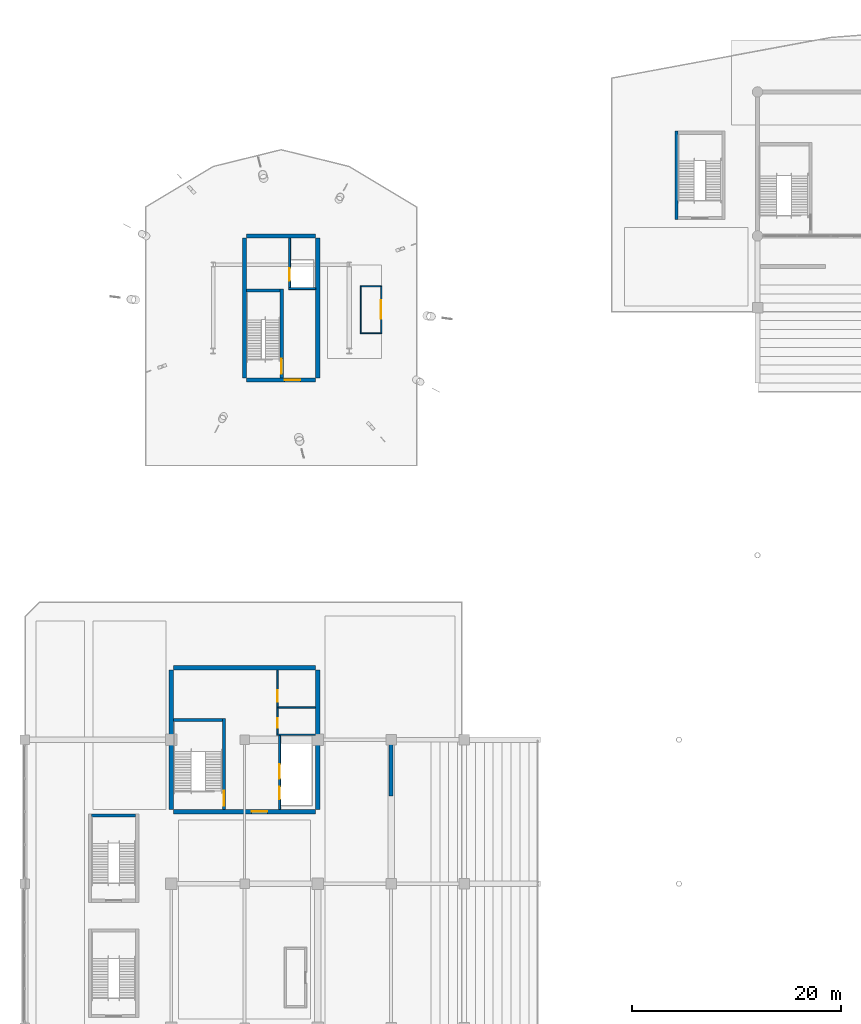
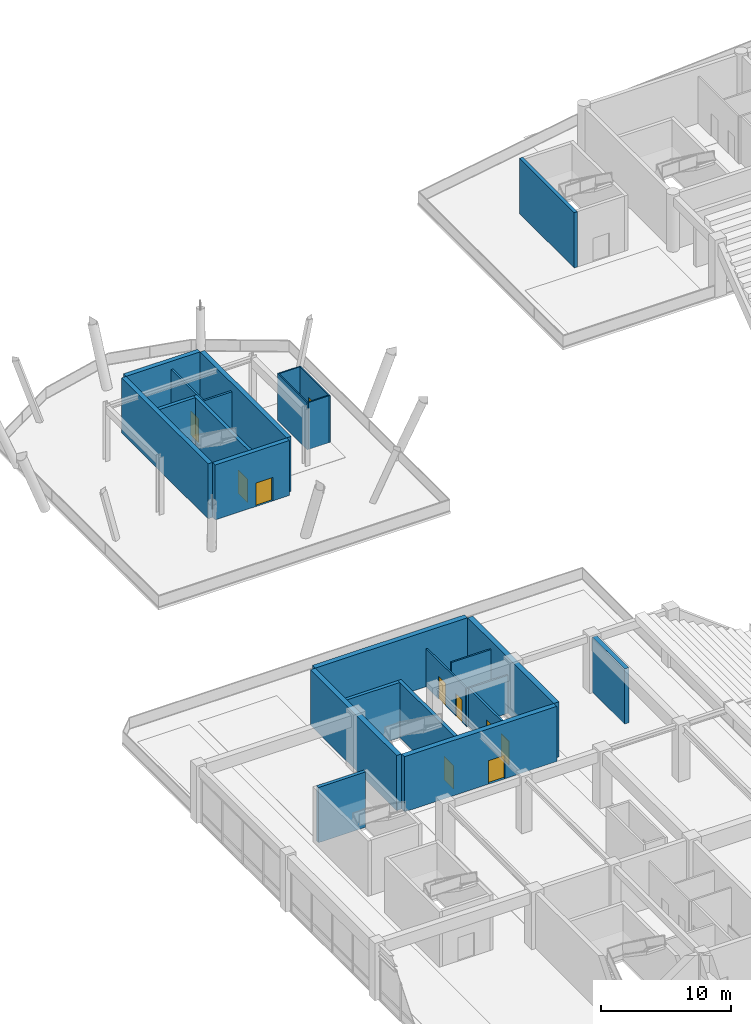
# One storey, part 95 of 117: 25 walls, 10 doors, 10 openings.
"""IFC4 building model written with IfcOpenShell, lengths in metres."""

import ifcopenshell
import ifcopenshell.guid

model = None  # the IFC model being written
_history = None  # IfcOwnerHistory: only IFC2X3 demands one
_inside = {}  # id of a spatial element -> (the spatial element, [elements in it])
_under = {}  # id of a project, library or spatial element -> (it, [spatial elements below it])
_declared = {}  # id of a project -> (the project, [libraries it declares])
_typed = {}  # id of a type object -> (the type object, [elements of that type])
_made_of = {}  # id of a material, layer set ... -> (it, [elements and type objects made of it])


def new_model(schema):
    """Start an empty IFC model of exactly this schema.

    Asked for "IFC4X3", IfcOpenShell would pick the latest addendum, in which some entities
    have other attributes; the version numbers below select the first issue.
    IFC2X3 requires an IfcOwnerHistory on every rooted entity: one is made here for all.
    """
    global model, _history
    if schema == "IFC4X3":
        model = ifcopenshell.file(schema_version=(4, 3, 0, 0))
    else:
        model = ifcopenshell.file(schema=schema)
    _inside.clear()
    _under.clear()
    _declared.clear()
    _typed.clear()
    _made_of.clear()
    _history = None
    if model.schema == "IFC2X3":
        org = make("IfcOrganization", Name="unknown")
        user = make(
            "IfcPersonAndOrganization",
            ThePerson=make("IfcPerson", FamilyName="unknown"),
            TheOrganization=org,
        )
        app = make(
            "IfcApplication",
            ApplicationDeveloper=org,
            Version="unknown",
            ApplicationFullName="unknown",
            ApplicationIdentifier="unknown",
        )
        _history = make(
            "IfcOwnerHistory",
            OwningUser=user,
            OwningApplication=app,
            ChangeAction="ADDED",
            CreationDate=0,
        )
    return model


def make(cls, **values):
    """One entity of the class cls with the attributes given. An attribute that is None is left unset."""
    return model.create_entity(
        cls, **{name: value for name, value in values.items() if value is not None}
    )


def rooted(cls, **values):
    """An entity with a GlobalId (a new one), such as an element, a storey or a relation."""
    return make(cls, GlobalId=ifcopenshell.guid.new(), OwnerHistory=_history, **values)


def si_unit(unit_type, name, prefix=None):
    """IfcSIUnit, for example si_unit("LENGTHUNIT", "METRE", prefix="MILLI")."""
    return make("IfcSIUnit", UnitType=unit_type, Prefix=prefix, Name=name)


def assignment(units):
    """IfcUnitAssignment: the units of a project."""
    return None if units is None else make("IfcUnitAssignment", Units=units)


def point(xyz):
    """IfcCartesianPoint."""
    return None if xyz is None else make("IfcCartesianPoint", Coordinates=xyz)


def direction(xyz):
    """IfcDirection."""
    return None if xyz is None else make("IfcDirection", DirectionRatios=xyz)


def frame(location, z_axis=None, x_axis=None):
    """IfcAxis2Placement3D, a coordinate frame: its origin and axes. An axis left out is left unset."""
    return make(
        "IfcAxis2Placement3D",
        Location=point(location),
        Axis=direction(z_axis),
        RefDirection=direction(x_axis),
    )


def frame_2d(location, x_axis=None):
    """IfcAxis2Placement2D, a coordinate frame in the plane: its origin and x axis."""
    return make(
        "IfcAxis2Placement2D", Location=point(location), RefDirection=direction(x_axis)
    )


def origin():
    """The frame at (0, 0, 0) with its axes left unset."""
    return frame((0.0, 0.0, 0.0))


def place(relative_to, where):
    """IfcLocalPlacement: puts the frame where relative to a parent placement (None: the world)."""
    return make(
        "IfcLocalPlacement", PlacementRelTo=relative_to, RelativePlacement=where
    )


def context(
    kind, dimensions, precision=None, world=None, true_north=None, identifier=None
):
    """IfcGeometricRepresentationContext, for example the 3D "Model" context."""
    return make(
        "IfcGeometricRepresentationContext",
        ContextIdentifier=identifier,
        ContextType=kind,
        CoordinateSpaceDimension=dimensions,
        Precision=precision,
        WorldCoordinateSystem=world,
        TrueNorth=true_north,
    )


def subcontext(parent, identifier, kind, view, scale=None):
    """IfcGeometricRepresentationSubContext, for example "Body" below "Model"."""
    return make(
        "IfcGeometricRepresentationSubContext",
        ContextIdentifier=identifier,
        ContextType=kind,
        ParentContext=parent,
        TargetScale=scale,
        TargetView=view,
    )


def project(units=None, contexts=None):
    """IfcProject with its units and contexts."""
    return rooted(
        "IfcProject",
        Name="project",
        RepresentationContexts=contexts,
        UnitsInContext=assignment(units),
    )


def spatial(cls, under=None, at=None, **own):
    """A site, building, storey or space (cls), placed at a placement, below another one or the project."""
    s = rooted(cls, ObjectPlacement=at, **own)
    if under is not None:
        _under.setdefault(under.id(), (under, []))[1].append(s)
    return s


def profile(cls, at=None, kind="AREA", **sizes):
    """A parametric profile (cls). Its sizes go by their IFC names, for example OverallWidth=200.0."""
    return make(cls, ProfileType=kind, Position=at, **sizes)


def rectangle(**sizes):
    """IfcRectangleProfileDef."""
    return profile("IfcRectangleProfileDef", **sizes)


def extrude(swept, where, along, depth):
    """IfcExtrudedAreaSolid: the profile swept, set in the frame where, extruded along a direction by depth."""
    return make(
        "IfcExtrudedAreaSolid",
        SweptArea=swept,
        Position=where,
        ExtrudedDirection=direction(along),
        Depth=depth,
    )


def shape(context_of_items, identifier, shape_type, items):
    """IfcShapeRepresentation: the items that make up one representation, for example the "Body"."""
    return make(
        "IfcShapeRepresentation",
        ContextOfItems=context_of_items,
        RepresentationIdentifier=identifier,
        RepresentationType=shape_type,
        Items=items,
    )


def material(Name=None, Category=None):
    """IfcMaterial."""
    return make("IfcMaterial", Name=Name, Category=Category)


def layer(
    of_material, thickness, ventilated=None, Name=None, Category=None, Priority=None
):
    """IfcMaterialLayer: one layer of a wall or slab, of a material (None: an air gap)."""
    return make(
        "IfcMaterialLayer",
        Material=of_material,
        LayerThickness=thickness,
        IsVentilated=ventilated,
        Name=Name,
        Category=Category,
        Priority=Priority,
    )


def layer_set(layers, Name=None):
    """IfcMaterialLayerSet."""
    return make("IfcMaterialLayerSet", MaterialLayers=layers, LayerSetName=Name)


def made_of(thing, what):
    """Note that an element or type object is made of a material, layer set ...; save() writes the relation."""
    if what is not None:
        _made_of.setdefault(what.id(), (what, []))[1].append(thing)
    return thing


def type_object(cls, material=None, **own):
    """A type object (cls), such as IfcWallType, which elements share."""
    return made_of(rooted(cls, **own), material)


def element(
    cls,
    number,
    at=None,
    inside=None,
    cuts=None,
    type_object=None,
    material=None,
    context=None,
    identifier="Body",
    shape_type=None,
    held_by="IfcProductDefinitionShape",
    body=None,
    shapes=None,
    **own,
):
    """One element of the class cls, such as IfcWall. Its Tag is "e" and its number.

    at: its placement. inside: the storey or other place that contains it. cuts: it is an
    opening in that element (IfcRelVoidsElement). A single representation is given by context,
    identifier, shape_type and body (its items); several are given by shapes. held_by: the class
    of the entity that holds the representations. save() writes the other relations.
    """
    e = rooted(cls, Tag="e%d" % number, ObjectPlacement=at, **own)
    if body is not None:
        shapes = [shape(context, identifier, shape_type, body)]
    if shapes is not None:
        e.Representation = make(held_by, Representations=shapes)
    if inside is not None:
        _inside.setdefault(inside.id(), (inside, []))[1].append(e)
    if cuts is not None:
        rooted(
            "IfcRelVoidsElement", RelatingBuildingElement=cuts, RelatedOpeningElement=e
        )
    if type_object is not None:
        _typed.setdefault(type_object.id(), (type_object, []))[1].append(e)
    return made_of(e, material)


def fill(opening, filler):
    """IfcRelFillsElement: the door or window that sits in an opening."""
    return rooted(
        "IfcRelFillsElement",
        RelatingOpeningElement=opening,
        RelatedBuildingElement=filler,
    )


def aggregate(whole, parts):
    """IfcRelAggregates: a whole, such as a stair, and the parts it consists of."""
    return rooted("IfcRelAggregates", RelatingObject=whole, RelatedObjects=parts)


def save(model, path):
    """Write the relations noted so far, then the file.

    IfcRelAggregates (storeys below a building ...), IfcRelContainedInSpatialStructure (elements
    in a storey), IfcRelDefinesByType, IfcRelAssociatesMaterial and IfcRelDeclares: one each for
    every whole, place, type object, material and project.
    """
    for whole, parts in _under.values():
        aggregate(whole, parts)
    for where, things in _inside.values():
        rooted(
            "IfcRelContainedInSpatialStructure",
            RelatedElements=things,
            RelatingStructure=where,
        )
    for kind, things in _typed.values():
        rooted("IfcRelDefinesByType", RelatedObjects=things, RelatingType=kind)
    for what, things in _made_of.values():
        rooted("IfcRelAssociatesMaterial", RelatedObjects=things, RelatingMaterial=what)
    for by, libraries in _declared.values():
        rooted("IfcRelDeclares", RelatingContext=by, RelatedDefinitions=libraries)
    model.write(path)


model = new_model("IFC4")

# Units and contexts
model_context = context("Model", 3, precision=1e-05, world=origin(), true_north=direction((0.0, 1.0)))
body_context = subcontext(model_context, "Body", "Model", "MODEL_VIEW")
ifc_project = project(units=[si_unit("LENGTHUNIT", "METRE"), si_unit("AREAUNIT", "SQUARE_METRE"), si_unit("VOLUMEUNIT", "CUBIC_METRE"), si_unit("PLANEANGLEUNIT", "RADIAN"), si_unit("MASSUNIT", "GRAM", prefix="KILO")], contexts=[model_context])

# Site, building, storey
site_placement = place(None, origin())
site = spatial("IfcSite", under=ifc_project, at=site_placement, CompositionType="ELEMENT")
building_placement = place(site_placement, origin())
building = spatial("IfcBuilding", under=site, at=building_placement, Name="Linyun Crest Stadium", CompositionType="ELEMENT")
storey_placement = place(building_placement, frame((0.0, 0.0, 6.0)))
storey = spatial("IfcBuildingStorey", under=building, at=storey_placement, Name="L02", CompositionType="ELEMENT", Elevation=6.0)

# Walls
ifc_material_1 = material(Name="Concrete C50", Category="concrete")
ifc_layer_1 = layer(ifc_material_1, 0.39990234375)
ifc_layer_set_1 = layer_set([ifc_layer_1], Name="Concrete C50")
wall_type_1 = type_object("IfcWallType", Name="CW02", PredefinedType="SHEAR", material=ifc_layer_set_1)
for number, where, z_axis, x_axis, name in (
    (1, (-77.0, 77.949951171875, 0.0), (0.0, 0.0, 1.0), (0.0, 1.0, 0.0), "Core shear wall CW02 CORE-PNW L02.1"),
    (2, (-70.0, 77.949951171875, 0.0), (0.0, 0.0, 1.0), (0.0, 1.0, 0.0), "Core shear wall CW02 CORE-PNW L02.2"),
):
    element("IfcWall", number, at=place(storey_placement, frame(where, z_axis=z_axis, x_axis=x_axis)), inside=storey, type_object=wall_type_1, Name=name, PredefinedType="SHEAR", context=body_context, shape_type="SweptSolid", body=[
        extrude(rectangle(XDim=13.35009765625, YDim=0.39990234375, at=frame_2d((6.675048828125, 0.0))), origin(), (0.0, 0.0, 1.0), 5.179931640625),
    ])

# Wall, opening, door
wall_1_placement = place(storey_placement, frame((-76.800048828125, 77.75, 0.0), z_axis=(0.0, 0.0, 1.0), x_axis=(1.0, 0.0, 0.0)))
wall_1 = element("IfcWall", 3, at=wall_1_placement, inside=storey, type_object=wall_type_1, Name="Core shear wall CW02 CORE-PNW L02.3", PredefinedType="SHEAR", context=body_context, shape_type="SweptSolid", body=[
    extrude(rectangle(XDim=6.60009765625, YDim=0.39990234375, at=frame_2d((3.300048828125, 0.0))), origin(), (0.0, 0.0, 1.0), 5.179931640625),
])
opening_1_placement = place(wall_1_placement, frame((3.6298828125, 0.0, 0.0)))
opening_1 = element("IfcOpeningElement", 4, at=opening_1_placement, cuts=wall_1, Name="Opening D-L02-372", PredefinedType="OPENING", context=body_context, shape_type="SweptSolid", body=[
    extrude(rectangle(XDim=1.5, YDim=2.199951171875, at=frame_2d((0.75, 1.10009765625))), frame((0.0, 0.2099609375, 0.0), z_axis=(0.0, -1.0, 0.0), x_axis=(1.0, 0.0, 0.0)), (0.0, 0.0, 1.0), 0.419921875),
])
ifc_material_2 = material(Name="Galvanized steel Class A fire door", Category="steel")
ifc_layer_2 = layer(ifc_material_2, 0.054931640625)
ifc_layer_set_2 = layer_set([ifc_layer_2], Name="Galvanized steel Class A fire door")
door_type_1 = type_object("IfcDoorType", Name="FD01", OperationType="NOTDEFINED", PredefinedType="DOOR", material=ifc_layer_set_2)
door_1_placement = place(opening_1_placement, origin())
door_1 = element("IfcDoor", 5, at=door_1_placement, inside=storey, type_object=door_type_1, Name="Door D-L02-372", OperationType="SINGLE_SWING_RIGHT", OverallHeight=2.199951171875, OverallWidth=1.5, PredefinedType="DOOR", context=body_context, shape_type="SweptSolid", body=[
    extrude(rectangle(XDim=1.5, YDim=2.199951171875, at=frame_2d((0.75, 1.10009765625))), frame((0.0, 0.02490234375, 0.0), z_axis=(0.0, -1.0, 0.0), x_axis=(1.0, 0.0, 0.0)), (0.0, 0.0, 1.0), 0.050048828125),
])
fill(opening_1, door_1)

# Walls
wall_2_placement = place(storey_placement, frame((-76.800048828125, 91.5, 0.0), z_axis=(0.0, 0.0, 1.0), x_axis=(1.0, 0.0, 0.0)))
element("IfcWall", 6, at=wall_2_placement, inside=storey, type_object=wall_type_1, Name="Core shear wall CW02 CORE-PNW L02.4", PredefinedType="SHEAR", context=body_context, shape_type="SweptSolid", body=[
    extrude(rectangle(XDim=6.60009765625, YDim=0.39990234375, at=frame_2d((3.300048828125, 0.0))), origin(), (0.0, 0.0, 1.0), 5.179931640625),
])
ifc_material_3 = material(Name="Concrete C50", Category="concrete")
ifc_layer_3 = layer(ifc_material_3, 0.449951171875)
ifc_layer_set_3 = layer_set([ifc_layer_3], Name="Concrete C50")
wall_type_2 = type_object("IfcWallType", Name="CW03", PredefinedType="SHEAR", material=ifc_layer_set_3)
for number, where, z_axis, x_axis, name in (
    (7, (-84.0, 36.72509765625, 0.0), (0.0, 0.0, 1.0), (0.0, 1.0, 0.0), "Core shear wall CW03 CORE-W3 L02.1"),
    (8, (-70.0, 36.72509765625, 0.0), (0.0, 0.0, 1.0), (0.0, 1.0, 0.0), "Core shear wall CW03 CORE-W3 L02.2"),
):
    element("IfcWall", number, at=place(storey_placement, frame(where, z_axis=z_axis, x_axis=x_axis)), inside=storey, type_object=wall_type_2, Name=name, PredefinedType="SHEAR", context=body_context, shape_type="SweptSolid", body=[
        extrude(rectangle(XDim=13.2998046875, YDim=0.449951171875, at=frame_2d((6.64990234375, 0.0))), origin(), (0.0, 0.0, 1.0), 5.199951171875),
    ])

# Wall, opening, door
wall_3_placement = place(storey_placement, frame((-83.77490234375, 36.5, 0.0), z_axis=(0.0, 0.0, 1.0), x_axis=(1.0, 0.0, 0.0)))
wall_3 = element("IfcWall", 9, at=wall_3_placement, inside=storey, type_object=wall_type_2, Name="Core shear wall CW03 CORE-W3 L02.3", PredefinedType="SHEAR", context=body_context, shape_type="SweptSolid", body=[
    extrude(rectangle(XDim=13.5498046875, YDim=0.449951171875, at=frame_2d((6.77490234375, 0.0))), origin(), (0.0, 0.0, 1.0), 5.199951171875),
])
opening_2_placement = place(wall_3_placement, frame((7.452880859375, 0.0, 0.0)))
opening_2 = element("IfcOpeningElement", 10, at=opening_2_placement, cuts=wall_3, Name="Opening D-L02-118", PredefinedType="OPENING", context=body_context, shape_type="SweptSolid", body=[
    extrude(rectangle(XDim=1.5, YDim=2.199951171875, at=frame_2d((0.75, 1.10009765625))), frame((0.0, 0.23486328125, 0.0), z_axis=(0.0, -1.0, 0.0), x_axis=(1.0, 0.0, 0.0)), (0.0, 0.0, 1.0), 0.469970703125),
])
door_2_placement = place(opening_2_placement, origin())
door_2 = element("IfcDoor", 11, at=door_2_placement, inside=storey, type_object=door_type_1, Name="Door D-L02-118", OperationType="SINGLE_SWING_RIGHT", OverallHeight=2.199951171875, OverallWidth=1.5, PredefinedType="DOOR", context=body_context, shape_type="SweptSolid", body=[
    extrude(rectangle(XDim=1.5, YDim=2.199951171875, at=frame_2d((0.75, 1.10009765625))), frame((0.0, 0.02490234375, 0.0), z_axis=(0.0, -1.0, 0.0), x_axis=(1.0, 0.0, 0.0)), (0.0, 0.0, 1.0), 0.050048828125),
])
fill(opening_2, door_2)

# Wall
wall_4_placement = place(storey_placement, frame((-83.77490234375, 50.25, 0.0), z_axis=(0.0, 0.0, 1.0), x_axis=(1.0, 0.0, 0.0)))
element("IfcWall", 12, at=wall_4_placement, inside=storey, type_object=wall_type_2, Name="Core shear wall CW03 CORE-W3 L02.4", PredefinedType="SHEAR", context=body_context, shape_type="SweptSolid", body=[
    extrude(rectangle(XDim=13.5498046875, YDim=0.449951171875, at=frame_2d((6.77490234375, 0.0))), origin(), (0.0, 0.0, 1.0), 5.199951171875),
])

# Wall, openings, doors
ifc_material_4 = material(Name="Autoclaved aerated concrete block fire partition", Category="concrete")
ifc_layer_4 = layer(ifc_material_4, 0.179931640625)
ifc_layer_set_4 = layer_set([ifc_layer_4], Name="Autoclaved aerated concrete block fire partition")
wall_type_3 = type_object("IfcWallType", Name="PW12", PredefinedType="PARTITIONING", material=ifc_layer_set_4)
wall_5_placement = place(storey_placement, frame((-73.64990234375, 36.72509765625, 0.0), z_axis=(0.0, 0.0, 1.0), x_axis=(0.0, 1.0, 0.0)))
wall_5 = element("IfcWall", 13, at=wall_5_placement, inside=storey, type_object=wall_type_3, Name="Partition PW12 L02 47", PredefinedType="PARTITIONING", context=body_context, shape_type="SweptSolid", body=[
    extrude(rectangle(XDim=7.054931640625, YDim=0.179931640625, at=frame_2d((3.52734375, 0.0))), origin(), (0.0, 0.0, 1.0), 3.574951171875),
])
opening_3_placement = place(wall_5_placement, frame((0.97509765625, 0.0, 0.0)))
opening_3 = element("IfcOpeningElement", 14, at=opening_3_placement, cuts=wall_5, Name="Opening LD040", PredefinedType="OPENING", context=body_context, shape_type="SweptSolid", body=[
    extrude(rectangle(XDim=1.199951171875, YDim=2.25, at=frame_2d((0.60009765625, 1.125))), frame((0.0, 0.099853515625, 0.0), z_axis=(0.0, -1.0, 0.0), x_axis=(1.0, 0.0, 0.0)), (0.0, 0.0, 1.0), 0.199951171875),
])
opening_4_placement = place(wall_5_placement, frame((2.925048828125, 0.0, 0.0)))
opening_4 = element("IfcOpeningElement", 15, at=opening_4_placement, cuts=wall_5, Name="Opening LD041", PredefinedType="OPENING", context=body_context, shape_type="SweptSolid", body=[
    extrude(rectangle(XDim=1.39990234375, YDim=2.300048828125, at=frame_2d((0.699951171875, 1.14990234375))), frame((0.0, 0.099853515625, 0.0), z_axis=(0.0, -1.0, 0.0), x_axis=(1.0, 0.0, 0.0)), (0.0, 0.0, 1.0), 0.199951171875),
])
ifc_material_5 = material(Name="Brushed stainless sliding lift door")
ifc_layer_5 = layer(ifc_material_5, 0.050048828125)
ifc_layer_set_5 = layer_set([ifc_layer_5], Name="Brushed stainless sliding lift door")
door_type_2 = type_object("IfcDoorType", Name="LD02", OperationType="NOTDEFINED", PredefinedType="DOOR", material=ifc_layer_set_5)
door_3_placement = place(opening_3_placement, origin())
door_3 = element("IfcDoor", 16, at=door_3_placement, inside=storey, type_object=door_type_2, Name="Lift landing door LD040", OperationType="DOUBLE_DOOR_SLIDING", OverallHeight=2.25, OverallWidth=1.199951171875, PredefinedType="DOOR", context=body_context, shape_type="SweptSolid", body=[
    extrude(rectangle(XDim=1.199951171875, YDim=2.25, at=frame_2d((0.60009765625, 1.125))), frame((0.0, 0.02490234375, 0.0), z_axis=(0.0, -1.0, 0.0), x_axis=(1.0, 0.0, 0.0)), (0.0, 0.0, 1.0), 0.050048828125),
])
fill(opening_3, door_3)
ifc_material_6 = material(Name="Heavy-duty stainless sliding door")
ifc_layer_6 = layer(ifc_material_6, 0.054931640625)
ifc_layer_set_6 = layer_set([ifc_layer_6], Name="Heavy-duty stainless sliding door")
door_type_3 = type_object("IfcDoorType", Name="LD03", OperationType="NOTDEFINED", PredefinedType="DOOR", material=ifc_layer_set_6)
door_4_placement = place(opening_4_placement, origin())
door_4 = element("IfcDoor", 17, at=door_4_placement, inside=storey, type_object=door_type_3, Name="Lift landing door LD041", OperationType="DOUBLE_DOOR_SLIDING", OverallHeight=2.300048828125, OverallWidth=1.39990234375, PredefinedType="DOOR", context=body_context, shape_type="SweptSolid", body=[
    extrude(rectangle(XDim=1.39990234375, YDim=2.300048828125, at=frame_2d((0.699951171875, 1.14990234375))), frame((0.0, 0.02490234375, 0.0), z_axis=(0.0, -1.0, 0.0), x_axis=(1.0, 0.0, 0.0)), (0.0, 0.0, 1.0), 0.050048828125),
])
fill(opening_4, door_4)

# Wall, opening, door
wall_6_placement = place(storey_placement, frame((-72.699951171875, 86.550048828125, 0.0), z_axis=(0.0, 0.0, 1.0), x_axis=(0.0, 1.0, 0.0)))
wall_6 = element("IfcWall", 18, at=wall_6_placement, inside=storey, type_object=wall_type_3, Name="Partition PW12 L02 133", PredefinedType="PARTITIONING", context=body_context, shape_type="SweptSolid", body=[
    extrude(rectangle(XDim=4.75, YDim=0.179931640625, at=frame_2d((2.375, 0.0))), origin(), (0.0, 0.0, 1.0), 4.419921875),
])
opening_5_placement = place(wall_6_placement, frame((0.64990234375, 0.0, 0.0)))
opening_5 = element("IfcOpeningElement", 19, at=opening_5_placement, cuts=wall_6, Name="Opening LD109", PredefinedType="OPENING", context=body_context, shape_type="SweptSolid", body=[
    extrude(rectangle(XDim=1.199951171875, YDim=2.25, at=frame_2d((0.60009765625, 1.125))), frame((0.0, 0.099853515625, 0.0), z_axis=(0.0, -1.0, 0.0), x_axis=(1.0, 0.0, 0.0)), (0.0, 0.0, 1.0), 0.199951171875),
])
door_5_placement = place(opening_5_placement, origin())
door_5 = element("IfcDoor", 20, at=door_5_placement, inside=storey, type_object=door_type_2, Name="Lift landing door LD109", OperationType="DOUBLE_DOOR_SLIDING", OverallHeight=2.25, OverallWidth=1.199951171875, PredefinedType="DOOR", context=body_context, shape_type="SweptSolid", body=[
    extrude(rectangle(XDim=1.199951171875, YDim=2.25, at=frame_2d((0.60009765625, 1.125))), frame((0.0, 0.02490234375, 0.0), z_axis=(0.0, -1.0, 0.0), x_axis=(1.0, 0.0, 0.0)), (0.0, 0.0, 1.0), 0.050048828125),
])
fill(opening_5, door_5)

# Wall
wall_7_placement = place(storey_placement, frame((-72.7900390625, 86.4599609375, 0.0), z_axis=(0.0, 0.0, 1.0), x_axis=(1.0, 0.0, 0.0)))
element("IfcWall", 21, at=wall_7_placement, inside=storey, type_object=wall_type_3, Name="Enclosure partition PW12 L02 125", PredefinedType="PARTITIONING", context=body_context, shape_type="SweptSolid", body=[
    extrude(rectangle(XDim=2.590087890625, YDim=0.179931640625, at=frame_2d((1.294921875, 0.0))), origin(), (0.0, 0.0, 1.0), 4.419921875),
])

# Wall, openings, doors
ifc_material_7 = material(Name="Moisture-resistant ceramic-tiled wet-room wall")
ifc_layer_7 = layer(ifc_material_7, 0.139892578125)
ifc_layer_set_7 = layer_set([ifc_layer_7], Name="Moisture-resistant ceramic-tiled wet-room wall")
wall_type_4 = type_object("IfcWallType", Name="PW15", PredefinedType="PARTITIONING", material=ifc_layer_set_7)
wall_8_placement = place(storey_placement, frame((-73.85009765625, 43.919921875, 0.0), z_axis=(0.0, 0.0, 1.0), x_axis=(0.0, 1.0, 0.0)))
wall_8 = element("IfcWall", 22, at=wall_8_placement, inside=storey, type_object=wall_type_4, Name="Partition PW15 L02 48", PredefinedType="PARTITIONING", context=body_context, shape_type="SweptSolid", body=[
    extrude(rectangle(XDim=6.10498046875, YDim=0.139892578125, at=frame_2d((3.052490234375, 0.0))), origin(), (0.0, 0.0, 1.0), 3.574951171875),
])
opening_6_placement = place(wall_8_placement, frame((0.580078125, 0.0, 0.0)))
opening_6 = element("IfcOpeningElement", 23, at=opening_6_placement, cuts=wall_8, Name="Opening D-L02-122", PredefinedType="OPENING", context=body_context, shape_type="SweptSolid", body=[
    extrude(rectangle(XDim=0.949951171875, YDim=2.14990234375, at=frame_2d((0.47509765625, 1.074951171875))), frame((0.0, 0.079833984375, 0.0), z_axis=(0.0, -1.0, 0.0), x_axis=(1.0, 0.0, 0.0)), (0.0, 0.0, 1.0), 0.159912109375),
])
opening_7_placement = place(wall_8_placement, frame((3.080078125, 0.0, 0.0)))
opening_7 = element("IfcOpeningElement", 24, at=opening_7_placement, cuts=wall_8, Name="Opening D-L02-123", PredefinedType="OPENING", context=body_context, shape_type="SweptSolid", body=[
    extrude(rectangle(XDim=1.10009765625, YDim=2.14990234375, at=frame_2d((0.550048828125, 1.074951171875))), frame((0.0, 0.079833984375, 0.0), z_axis=(0.0, -1.0, 0.0), x_axis=(1.0, 0.0, 0.0)), (0.0, 0.0, 1.0), 0.159912109375),
])
ifc_material_8 = material(Name="Moisture-resistant laminate leaf")
ifc_layer_8 = layer(ifc_material_8, 0.044921875)
ifc_layer_set_8 = layer_set([ifc_layer_8], Name="Moisture-resistant laminate leaf")
door_type_4 = type_object("IfcDoorType", Name="ID02", OperationType="NOTDEFINED", PredefinedType="DOOR", material=ifc_layer_set_8)
door_6_placement = place(opening_6_placement, origin())
door_6 = element("IfcDoor", 25, at=door_6_placement, inside=storey, type_object=door_type_4, Name="Door D-L02-122", OperationType="SINGLE_SWING_RIGHT", OverallHeight=2.14990234375, OverallWidth=0.949951171875, PredefinedType="DOOR", context=body_context, shape_type="SweptSolid", body=[
    extrude(rectangle(XDim=0.949951171875, YDim=2.14990234375, at=frame_2d((0.47509765625, 1.074951171875))), frame((0.0, 0.02490234375, 0.0), z_axis=(0.0, -1.0, 0.0), x_axis=(1.0, 0.0, 0.0)), (0.0, 0.0, 1.0), 0.050048828125),
])
fill(opening_6, door_6)
ifc_material_9 = material(Name="Moisture-resistant laminate leaf")
ifc_layer_9 = layer(ifc_material_9, 0.044921875)
ifc_layer_set_9 = layer_set([ifc_layer_9], Name="Moisture-resistant laminate leaf")
door_type_5 = type_object("IfcDoorType", Name="ID03", OperationType="NOTDEFINED", PredefinedType="DOOR", material=ifc_layer_set_9)
door_7_placement = place(opening_7_placement, origin())
door_7 = element("IfcDoor", 26, at=door_7_placement, inside=storey, type_object=door_type_5, Name="Door D-L02-123", OperationType="SINGLE_SWING_LEFT", OverallHeight=2.14990234375, OverallWidth=1.10009765625, PredefinedType="DOOR", context=body_context, shape_type="SweptSolid", body=[
    extrude(rectangle(XDim=1.10009765625, YDim=2.14990234375, at=frame_2d((0.550048828125, 1.074951171875))), frame((0.0, 0.02490234375, 0.0), z_axis=(0.0, -1.0, 0.0), x_axis=(1.0, 0.0, 0.0)), (0.0, 0.0, 1.0), 0.050048828125),
])
fill(opening_7, door_7)

# Walls
wall_9_placement = place(storey_placement, frame((-73.919921875, 43.85009765625, 0.0), z_axis=(0.0, 0.0, 1.0), x_axis=(1.0, 0.0, 0.0)))
element("IfcWall", 27, at=wall_9_placement, inside=storey, type_object=wall_type_4, Name="Enclosure partition PW15 L02 33", PredefinedType="PARTITIONING", context=body_context, shape_type="SweptSolid", body=[
    extrude(rectangle(XDim=3.69482421875, YDim=0.139892578125, at=frame_2d((1.847412109375, 0.0))), origin(), (0.0, 0.0, 1.0), 3.574951171875),
])
wall_10_placement = place(storey_placement, frame((-73.780029296875, 46.449951171875, 0.0), z_axis=(0.0, 0.0, 1.0), x_axis=(1.0, 0.0, 0.0)))
element("IfcWall", 28, at=wall_10_placement, inside=storey, type_object=wall_type_4, Name="Enclosure partition PW15 L02 34", PredefinedType="PARTITIONING", context=body_context, shape_type="SweptSolid", body=[
    extrude(rectangle(XDim=3.554931640625, YDim=0.139892578125, at=frame_2d((1.77734375, 0.0))), origin(), (0.0, 0.0, 1.0), 4.419921875),
])

# Wall, opening, door
ifc_material_10 = material(Name="Glazed hospitality salon screen partition")
ifc_layer_10 = layer(ifc_material_10, 0.114990234375)
ifc_layer_set_10 = layer_set([ifc_layer_10], Name="Glazed hospitality salon screen partition")
wall_type_5 = type_object("IfcWallType", Name="PW21", PredefinedType="PARTITIONING", material=ifc_layer_set_10)
wall_11_placement = place(storey_placement, frame((-63.947998046875, 86.759033203125, 0.0), z_axis=(0.0, 0.0, 1.0), x_axis=(0.0, -1.0, 0.0)))
wall_11 = element("IfcWall", 29, at=wall_11_placement, inside=storey, type_object=wall_type_5, Name="Partition PW21 L02 269", PredefinedType="PARTITIONING", context=body_context, shape_type="SweptSolid", body=[
    extrude(rectangle(XDim=4.60009765625, YDim=0.114990234375, at=frame_2d((2.300048828125, 0.0))), origin(), (0.0, 0.0, 1.0), 4.419921875),
])
opening_8_placement = place(wall_11_placement, frame((1.425048828125, 0.0, 0.0)))
opening_8 = element("IfcOpeningElement", 30, at=opening_8_placement, cuts=wall_11, Name="Opening D-L02-532", PredefinedType="OPENING", context=body_context, shape_type="SweptSolid", body=[
    extrude(rectangle(XDim=1.75, YDim=2.35009765625, at=frame_2d((0.875, 1.175048828125))), frame((0.0, 0.0673828125, 0.0), z_axis=(0.0, -1.0, 0.0), x_axis=(1.0, 0.0, 0.0)), (0.0, 0.0, 1.0), 0.135009765625),
])
ifc_material_11 = material(Name="Art Nouveau brass-inlaid double door")
ifc_layer_11 = layer(ifc_material_11, 0.054931640625)
ifc_layer_set_11 = layer_set([ifc_layer_11], Name="Art Nouveau brass-inlaid double door")
door_type_6 = type_object("IfcDoorType", Name="ID13", OperationType="NOTDEFINED", PredefinedType="DOOR", material=ifc_layer_set_11)
door_8_placement = place(opening_8_placement, origin())
door_8 = element("IfcDoor", 31, at=door_8_placement, inside=storey, type_object=door_type_6, Name="Door D-L02-532", OperationType="DOUBLE_DOOR_SINGLE_SWING", OverallHeight=2.35009765625, OverallWidth=1.75, PredefinedType="DOOR", context=body_context, shape_type="SweptSolid", body=[
    extrude(rectangle(XDim=1.75, YDim=2.35009765625, at=frame_2d((0.875, 1.175048828125))), frame((0.0, 0.02490234375, 0.0), z_axis=(0.0, -1.0, 0.0), x_axis=(1.0, 0.0, 0.0)), (0.0, 0.0, 1.0), 0.050048828125),
])
fill(opening_8, door_8)

# Walls
wall_12_placement = place(storey_placement, frame((-65.887939453125, 82.158935546875, 0.0), z_axis=(0.0, 0.0, 1.0), x_axis=(0.0, 1.0, 0.0)))
element("IfcWall", 32, at=wall_12_placement, inside=storey, type_object=wall_type_5, Name="Enclosure partition PW21 L02 523", PredefinedType="PARTITIONING", context=body_context, shape_type="SweptSolid", body=[
    extrude(rectangle(XDim=4.60009765625, YDim=0.114990234375, at=frame_2d((2.300048828125, 0.0))), origin(), (0.0, 0.0, 1.0), 4.419921875),
])
for number, where, z_axis, x_axis, name in (
    (33, (-65.830078125, 82.217041015625, 0.0), (0.0, 0.0, 1.0), (1.0, 0.0, 0.0), "Enclosure partition PW21 L02 524"),
    (34, (-65.830078125, 86.700927734375, 0.0), (0.0, 0.0, 1.0), (1.0, 0.0, 0.0), "Enclosure partition PW21 L02 525"),
):
    element("IfcWall", number, at=place(storey_placement, frame(where, z_axis=z_axis, x_axis=x_axis)), inside=storey, type_object=wall_type_5, Name=name, PredefinedType="PARTITIONING", context=body_context, shape_type="SweptSolid", body=[
        extrude(rectangle(XDim=1.823974609375, YDim=0.114990234375, at=frame_2d((0.912109375, 0.0))), origin(), (0.0, 0.0, 1.0), 4.419921875),
    ])

# Wall, opening, door
ifc_material_12 = material(Name="Concrete C50", Category="concrete")
ifc_layer_12 = layer(ifc_material_12, 0.300048828125)
ifc_layer_set_12 = layer_set([ifc_layer_12], Name="Concrete C50")
wall_type_6 = type_object("IfcWallType", Name="SW01", PredefinedType="SHEAR", material=ifc_layer_set_12)
wall_13_placement = place(storey_placement, frame((-78.949951171875, 36.72509765625, 0.0), z_axis=(0.0, 0.0, 1.0), x_axis=(0.0, 1.0, 0.0)))
wall_13 = element("IfcWall", 35, at=wall_13_placement, inside=storey, type_object=wall_type_6, Name="Core stair east bearing wall SW01 3 L02", PredefinedType="SHEAR", context=body_context, shape_type="SweptSolid", body=[
    extrude(rectangle(XDim=8.6748046875, YDim=0.300048828125, at=frame_2d((4.33740234375, 0.0))), origin(), (0.0, 0.0, 1.0), 5.199951171875),
])
opening_9_placement = place(wall_13_placement, frame((0.344970703125, 0.0, 0.0)))
opening_9 = element("IfcOpeningElement", 36, at=opening_9_placement, cuts=wall_13, Name="Opening D-L02-119", PredefinedType="OPENING", context=body_context, shape_type="SweptSolid", body=[
    extrude(rectangle(XDim=1.449951171875, YDim=2.199951171875, at=frame_2d((0.72509765625, 1.10009765625))), frame((0.0, 0.159912109375, 0.0), z_axis=(0.0, -1.0, 0.0), x_axis=(1.0, 0.0, 0.0)), (0.0, 0.0, 1.0), 0.320068359375),
])
ifc_material_13 = material(Name="Galvanized steel Class A fire door", Category="steel")
ifc_layer_13 = layer(ifc_material_13, 0.054931640625)
ifc_layer_set_13 = layer_set([ifc_layer_13], Name="Galvanized steel Class A fire door")
door_type_7 = type_object("IfcDoorType", Name="FD02", OperationType="NOTDEFINED", PredefinedType="DOOR", material=ifc_layer_set_13)
door_9_placement = place(opening_9_placement, origin())
door_9 = element("IfcDoor", 37, at=door_9_placement, inside=storey, type_object=door_type_7, Name="Door D-L02-119", OperationType="SINGLE_SWING_LEFT", OverallHeight=2.199951171875, OverallWidth=1.449951171875, PredefinedType="DOOR", context=body_context, shape_type="SweptSolid", body=[
    extrude(rectangle(XDim=1.449951171875, YDim=2.199951171875, at=frame_2d((0.72509765625, 1.10009765625))), frame((0.0, 0.02490234375, 0.0), z_axis=(0.0, -1.0, 0.0), x_axis=(1.0, 0.0, 0.0)), (0.0, 0.0, 1.0), 0.050048828125),
])
fill(opening_9, door_9)

wall_14_placement = place(storey_placement, frame((-73.449951171875, 77.949951171875, 0.0), z_axis=(0.0, 0.0, 1.0), x_axis=(0.0, 1.0, 0.0)))
wall_14 = element("IfcWall", 38, at=wall_14_placement, inside=storey, type_object=wall_type_6, Name="Core stair east bearing wall SW01 11 L02", PredefinedType="SHEAR", context=body_context, shape_type="SweptSolid", body=[
    extrude(rectangle(XDim=8.5, YDim=0.300048828125, at=frame_2d((4.25, 0.0))), origin(), (0.0, 0.0, 1.0), 5.179931640625),
])
opening_10_placement = place(wall_14_placement, frame((0.3701171875, 0.0, 0.0)))
opening_10 = element("IfcOpeningElement", 39, at=opening_10_placement, cuts=wall_14, Name="Opening D-L02-373", PredefinedType="OPENING", context=body_context, shape_type="SweptSolid", body=[
    extrude(rectangle(XDim=1.449951171875, YDim=2.199951171875, at=frame_2d((0.72509765625, 1.10009765625))), frame((0.0, 0.159912109375, 0.0), z_axis=(0.0, -1.0, 0.0), x_axis=(1.0, 0.0, 0.0)), (0.0, 0.0, 1.0), 0.320068359375),
])
door_10_placement = place(opening_10_placement, origin())
door_10 = element("IfcDoor", 40, at=door_10_placement, inside=storey, type_object=door_type_7, Name="Door D-L02-373", OperationType="SINGLE_SWING_LEFT", OverallHeight=2.199951171875, OverallWidth=1.449951171875, PredefinedType="DOOR", context=body_context, shape_type="SweptSolid", body=[
    extrude(rectangle(XDim=1.449951171875, YDim=2.199951171875, at=frame_2d((0.72509765625, 1.10009765625))), frame((0.0, 0.02490234375, 0.0), z_axis=(0.0, -1.0, 0.0), x_axis=(1.0, 0.0, 0.0)), (0.0, 0.0, 1.0), 0.050048828125),
])
fill(opening_10, door_10)

# Walls
wall_15_placement = place(storey_placement, frame((-83.77490234375, 45.25, 0.0), z_axis=(0.0, 0.0, 1.0), x_axis=(1.0, 0.0, 0.0)))
element("IfcWall", 41, at=wall_15_placement, inside=storey, type_object=wall_type_6, Name="Core stair bearing wall SW01 3 L02", PredefinedType="SHEAR", context=body_context, shape_type="SweptSolid", body=[
    extrude(rectangle(XDim=4.6748046875, YDim=0.300048828125, at=frame_2d((2.33740234375, 0.0))), origin(), (0.0, 0.0, 1.0), 5.199951171875),
])
wall_16_placement = place(storey_placement, frame((-76.800048828125, 86.300048828125, 0.0), z_axis=(0.0, 0.0, 1.0), x_axis=(1.0, 0.0, 0.0)))
element("IfcWall", 42, at=wall_16_placement, inside=storey, type_object=wall_type_6, Name="Core stair bearing wall SW01 11 L02", PredefinedType="SHEAR", context=body_context, shape_type="SweptSolid", body=[
    extrude(rectangle(XDim=3.199951171875, YDim=0.300048828125, at=frame_2d((1.60009765625, 0.0))), origin(), (0.0, 0.0, 1.0), 5.179931640625),
])
wall_17_placement = place(storey_placement, frame((-91.60009765625, 36.14990234375, 0.0), z_axis=(0.0, 0.0, 1.0), x_axis=(1.0, 0.0, 0.0)))
element("IfcWall", 43, at=wall_17_placement, inside=storey, type_object=wall_type_6, Name="Stair shaft wall SW01 STR-17 L02 N", PredefinedType="SHEAR", context=body_context, shape_type="SweptSolid", body=[
    extrude(rectangle(XDim=4.2001953125, YDim=0.300048828125, at=frame_2d((2.10009765625, 0.0))), origin(), (0.0, 0.0, 1.0), 5.199951171875),
])
wall_18_placement = place(storey_placement, frame((-35.75, 93.050048828125, 0.0), z_axis=(0.0, 0.0, 1.0), x_axis=(0.0, 1.0, 0.0)))
element("IfcWall", 44, at=wall_18_placement, inside=storey, type_object=wall_type_6, Name="Stair shaft wall SW01 STR-23 L02 W", PredefinedType="SHEAR", context=body_context, shape_type="SweptSolid", body=[
    extrude(rectangle(XDim=8.449951171875, YDim=0.300048828125, at=frame_2d((4.22509765625, 0.0))), origin(), (0.0, 0.0, 1.0), 5.199951171875),
])
ifc_material_14 = material(Name="Concrete C50", Category="concrete")
ifc_layer_14 = layer(ifc_material_14, 0.3798828125)
ifc_layer_set_14 = layer_set([ifc_layer_14], Name="Concrete C50")
wall_type_7 = type_object("IfcWallType", Name="SW02", PredefinedType="SHEAR", material=ifc_layer_set_14)
wall_19_placement = place(storey_placement, frame((-63.0, 38.0, 0.0), z_axis=(0.0, 0.0, 1.0), x_axis=(0.0, 1.0, 0.0)))
element("IfcWall", 45, at=wall_19_placement, inside=storey, type_object=wall_type_7, Name="Shear wall SW02 L02 307", PredefinedType="SHEAR", context=body_context, shape_type="SweptSolid", body=[
    extrude(rectangle(XDim=5.0, YDim=0.3798828125, at=frame_2d((2.5, 0.0))), origin(), (0.0, 0.0, 1.0), 5.199951171875),
])

save(model, "model.ifc")
